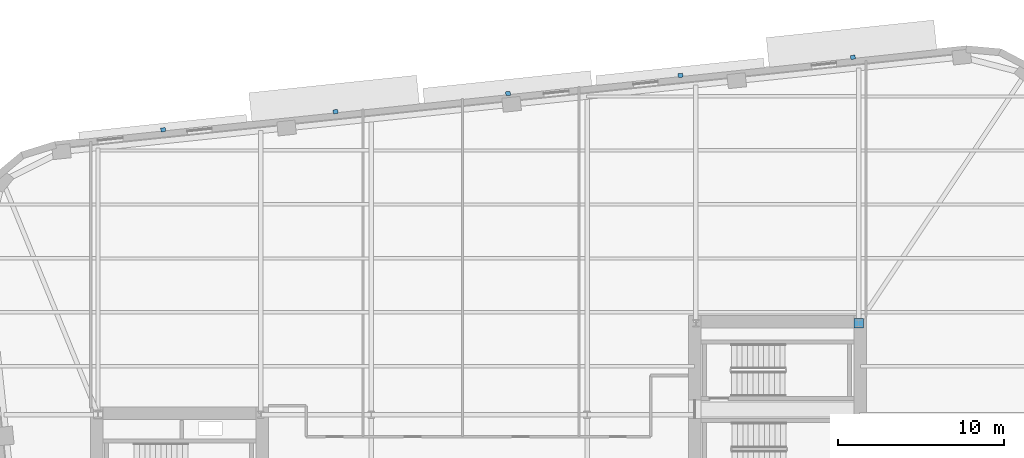
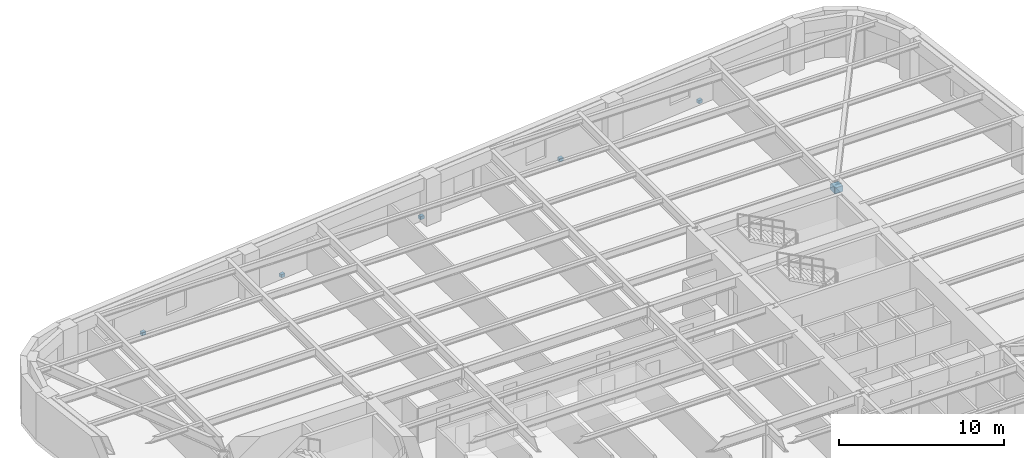
# One storey, part 8 of 13: 6 discrete accessories.
"""IFC4 building model written with IfcOpenShell, lengths in metres."""

from ifc_helpers import new_model, si_unit, direction, frame, origin, origin_2d, place, context, subcontext, project, spatial, rectangle, extrude, material, type_object, element, save


model = new_model("IFC4")

# Units and contexts
model_context = context("Model", 3, precision=1e-05, world=origin(), true_north=direction((0.0, 1.0)))
body_context = subcontext(model_context, "Body", "Model", "MODEL_VIEW")
ifc_project = project(units=[si_unit("LENGTHUNIT", "METRE"), si_unit("AREAUNIT", "SQUARE_METRE"), si_unit("VOLUMEUNIT", "CUBIC_METRE"), si_unit("PLANEANGLEUNIT", "RADIAN"), si_unit("MASSUNIT", "GRAM", prefix="KILO")], contexts=[model_context])

# Site, building, storey
site_placement = place(None, origin())
site = spatial("IfcSite", under=ifc_project, at=site_placement, CompositionType="ELEMENT")
building_placement = place(site_placement, origin())
building = spatial("IfcBuilding", under=site, at=building_placement, Name="Kolvaren Arena Tower", CompositionType="ELEMENT")
storey_placement = place(building_placement, frame((0.0, 0.0, 114.699951171875)))
storey = spatial("IfcBuildingStorey", under=building, at=storey_placement, Name="L26", CompositionType="ELEMENT", Elevation=114.699951171875)

# Discrete accessories
ifc_material_1 = material(Name="Stainless steel facade support bracket", Category="steel")
discrete_accessory_type_1 = type_object("IfcDiscreteAccessoryType", Name="ACC-BRKT-1", PredefinedType="BRACKET", material=ifc_material_1)
for number, where, z_axis, x_axis, name in (
    (1, (18.468505859375, 50.9951171875, -0.18017578125), (0.0, 0.0, 1.0), (0.994522077803, 0.104526727499, 0.0), "Sunshade Support Bracket (L26)"),
    (2, (28.851318359375, 52.08642578125, -0.18017578125), (0.0, 0.0, 1.0), (0.994522077803, 0.104526727499, 0.0), "Sunshade Support Bracket (L26)"),
    (3, (39.234130859375, 53.177734375, -0.18017578125), (0.0, 0.0, 1.0), (0.994522077803, 0.104526727499, 0.0), "Sunshade Support Bracket (L26)"),
    (4, (49.616943359375, 54.268798828125, -0.18017578125), (0.0, 0.0, 1.0), (0.994522077803, 0.104526727499, 0.0), "Sunshade Support Bracket (L26)"),
    (5, (59.999755859375, 55.360107421875, -0.18017578125), (0.0, 0.0, 1.0), (0.994522077803, 0.104526727499, 0.0), "Sunshade Support Bracket (L26)"),
):
    element("IfcDiscreteAccessory", number, at=place(storey_placement, frame(where, z_axis=z_axis, x_axis=x_axis)), inside=storey, type_object=discrete_accessory_type_1, Name=name, PredefinedType="BRACKET", context=body_context, shape_type="SweptSolid", body=[
        extrude(rectangle(XDim=0.280029296875, YDim=0.239990234375, at=origin_2d()), origin(), (0.0, 0.0, 1.0), 0.239990234375),
    ])
ifc_material_2 = material(Name="Steel CSA G40.21 350W bolted gusset connection", Category="steel")
discrete_accessory_type_2 = type_object("IfcDiscreteAccessoryType", Name="ACC-CONN-1", PredefinedType="BRACKET", material=ifc_material_2)
discrete_accessory_placement = place(storey_placement, frame((60.35009765625, 39.35009765625, 2.87353515625), z_axis=(0.0, 0.0, 1.0), x_axis=(1.0, 0.0, 0.0)))
element("IfcDiscreteAccessory", 6, at=discrete_accessory_placement, inside=storey, type_object=discrete_accessory_type_2, Name="Core Wall Cast-In Embed Plate EP1 (L26)", PredefinedType="BRACKET", context=body_context, shape_type="SweptSolid", body=[
    extrude(rectangle(XDim=0.56005859375, YDim=0.56005859375, at=origin_2d()), origin(), (0.0, 0.0, 1.0), 0.43994140625),
])

save(model, "model.ifc")
